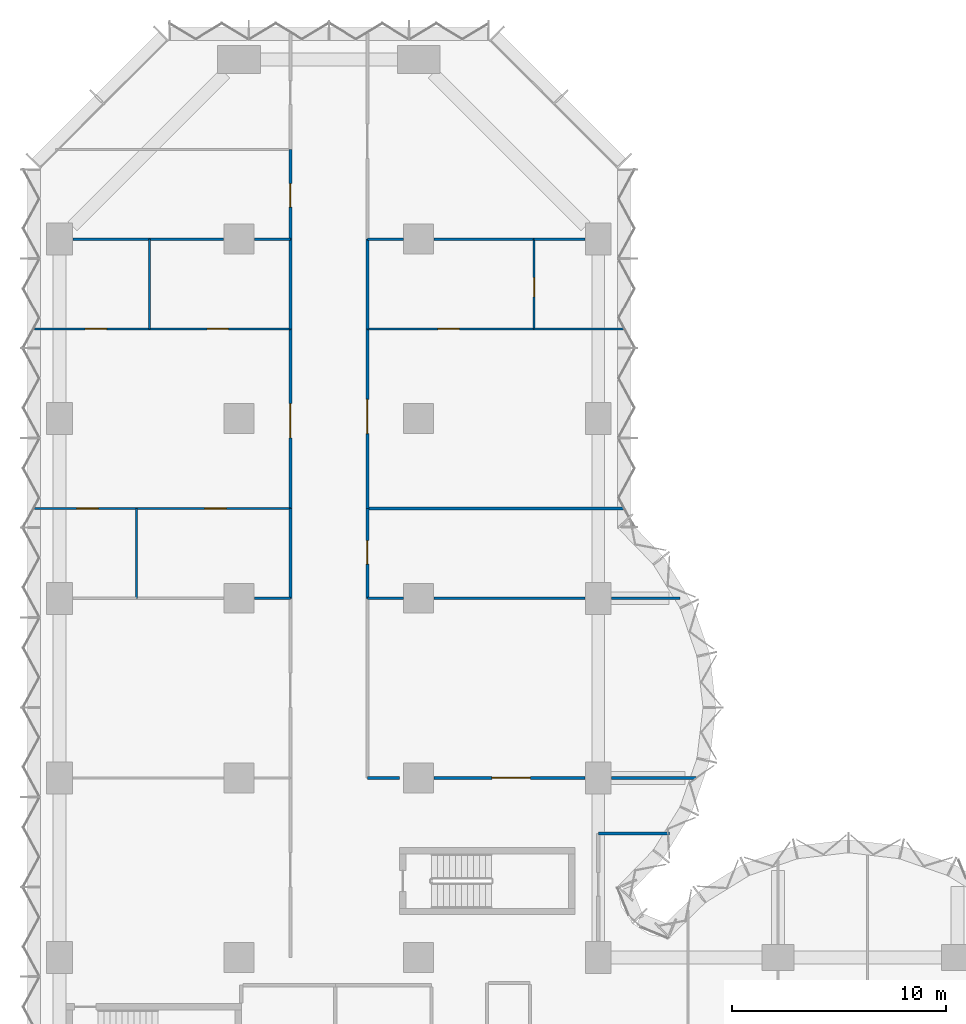
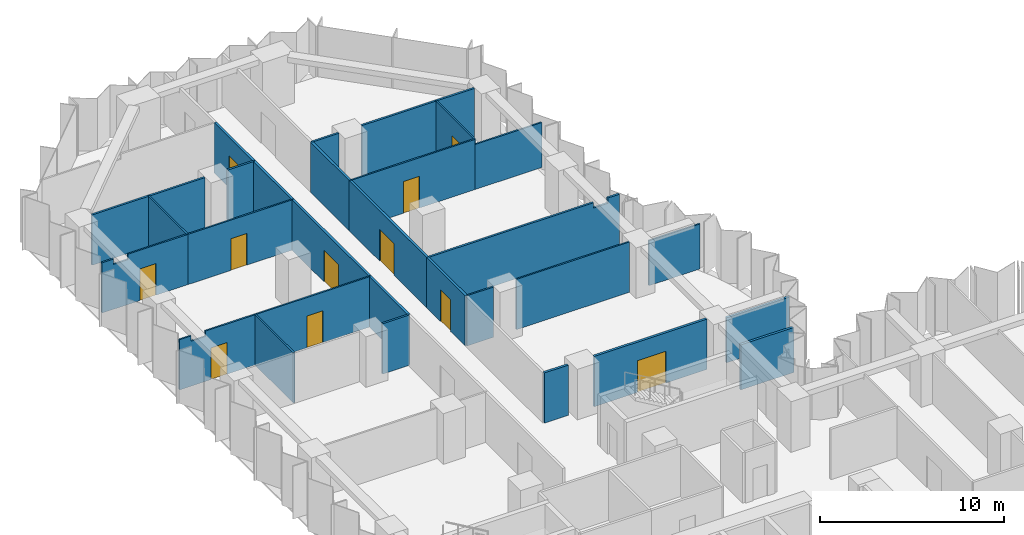
# One storey, part 11 of 15: 31 walls, 11 doors, 11 openings.
"""IFC4 building model written with IfcOpenShell, lengths in metres."""

from ifc_helpers import new_model, si_unit, direction, frame, frame_2d, origin, place, context, subcontext, project, spatial, polyline, rectangle, outline, extrude, material, layer, layer_set, type_object, element, fill, save


model = new_model("IFC4")

# Units and contexts
model_context = context("Model", 3, precision=1e-05, world=origin(), true_north=direction((0.0, 1.0)))
body_context = subcontext(model_context, "Body", "Model", "MODEL_VIEW")
ifc_project = project(units=[si_unit("LENGTHUNIT", "METRE"), si_unit("AREAUNIT", "SQUARE_METRE"), si_unit("VOLUMEUNIT", "CUBIC_METRE"), si_unit("PLANEANGLEUNIT", "RADIAN"), si_unit("MASSUNIT", "GRAM", prefix="KILO")], contexts=[model_context])

# Site, building, storey
site_placement = place(None, origin())
site = spatial("IfcSite", under=ifc_project, at=site_placement, CompositionType="ELEMENT")
building_placement = place(site_placement, origin())
building = spatial("IfcBuilding", under=site, at=building_placement, Name="Brevane Broadcast Tower", CompositionType="ELEMENT")
storey_placement = place(building_placement, frame((0.0, 0.0, 65.300048828125)))
storey = spatial("IfcBuildingStorey", under=building, at=storey_placement, Name="L14", CompositionType="ELEMENT", Elevation=65.300048828125)

# Wall, opening, door
ifc_material_1 = material(Name="Gypsum board partition")
ifc_layer_1 = layer(ifc_material_1, 0.10009765625)
ifc_layer_set_1 = layer_set([ifc_layer_1], Name="PARTITION 100 STUD")
wall_type_1 = type_object("IfcWallType", Name="PARTITION 100 STUD", PredefinedType="PARTITIONING", material=ifc_layer_set_1)
wall_1_placement = place(storey_placement, frame((-1.174072265625, 54.60009765625, 0.0), z_axis=(0.0, 0.0, 1.0), x_axis=(1.0, 0.0, 0.0)))
wall_1 = element("IfcWall", 1, at=wall_1_placement, inside=storey, type_object=wall_type_1, Name="Partition G03-056", PredefinedType="PARTITIONING", context=body_context, shape_type="SweptSolid", body=[
    extrude(outline(polyline([(0.0, 0.0), (5.3740234375, 0.0), (5.3740234375, 3.329833984375), (1.6240234375, 3.329833984375), (1.6220703125, 2.97998046875), (0.72607421875, 2.97998046875), (0.72412109375, 3.329833984375), (0.073974609375, 3.329833984375), (0.0, 3.329833984375), (0.0, 0.0)])), frame((0.0, 0.050048828125, 0.0), z_axis=(0.0, -1.0, 0.0), x_axis=(1.0, 0.0, 0.0)), (0.0, 0.0, 1.0), 0.10009765625),
])
opening_1_placement = place(wall_1_placement, frame((2.3740234375, 0.0, 0.0)))
opening_1 = element("IfcOpeningElement", 2, at=opening_1_placement, cuts=wall_1, Name="Opening D09-017", PredefinedType="OPENING", context=body_context, shape_type="SweptSolid", body=[
    extrude(rectangle(XDim=1.0, YDim=2.10009765625, at=frame_2d((0.5, 1.050048828125))), frame((0.0, 0.06005859375, 0.0), z_axis=(0.0, -1.0, 0.0), x_axis=(1.0, 0.0, 0.0)), (0.0, 0.0, 1.0), 0.1201171875),
])
ifc_material_2 = material(Name="Timber door leaf", Category="wood")
door_type_1 = type_object("IfcDoorType", Name="DOOR SINGLE 1000 INTERNAL", OperationType="SINGLE_SWING_LEFT", PredefinedType="DOOR", material=ifc_material_2)
door_1_placement = place(opening_1_placement, origin())
door_1 = element("IfcDoor", 3, at=door_1_placement, inside=storey, type_object=door_type_1, Name="Door D09-017", OperationType="SINGLE_SWING_LEFT", OverallHeight=2.10009765625, OverallWidth=1.0, PredefinedType="DOOR", context=body_context, shape_type="SweptSolid", body=[
    extrude(rectangle(XDim=1.0, YDim=2.10009765625, at=frame_2d((0.5, 1.050048828125))), frame((0.0, 0.02490234375, 0.0), z_axis=(0.0, -1.0, 0.0), x_axis=(1.0, 0.0, 0.0)), (0.0, 0.0, 1.0), 0.050048828125),
])
fill(opening_1, door_1)

wall_2_placement = place(storey_placement, frame((4.199951171875, 54.60009765625, 0.0), z_axis=(0.0, 0.0, 1.0), x_axis=(1.0, 0.0, 0.0)))
wall_2 = element("IfcWall", 4, at=wall_2_placement, inside=storey, type_object=wall_type_1, Name="Partition G03-057", PredefinedType="PARTITIONING", context=body_context, shape_type="SweptSolid", body=[
    extrude(rectangle(XDim=6.60009765625, YDim=0.10009765625, at=frame_2d((3.300048828125, 0.0))), origin(), (0.0, 0.0, 1.0), 3.329833984375),
])
opening_2_placement = place(wall_2_placement, frame((2.699951171875, 0.0, 0.0)))
opening_2 = element("IfcOpeningElement", 5, at=opening_2_placement, cuts=wall_2, Name="Opening D09-018", PredefinedType="OPENING", context=body_context, shape_type="SweptSolid", body=[
    extrude(rectangle(XDim=1.0, YDim=2.10009765625, at=frame_2d((0.5, 1.050048828125))), frame((0.0, 0.06005859375, 0.0), z_axis=(0.0, -1.0, 0.0), x_axis=(1.0, 0.0, 0.0)), (0.0, 0.0, 1.0), 0.1201171875),
])
door_2_placement = place(opening_2_placement, origin())
door_2 = element("IfcDoor", 6, at=door_2_placement, inside=storey, type_object=door_type_1, Name="Door D09-018", OperationType="SINGLE_SWING_LEFT", OverallHeight=2.10009765625, OverallWidth=1.0, PredefinedType="DOOR", context=body_context, shape_type="SweptSolid", body=[
    extrude(rectangle(XDim=1.0, YDim=2.10009765625, at=frame_2d((0.5, 1.050048828125))), frame((0.0, 0.02490234375, 0.0), z_axis=(0.0, -1.0, 0.0), x_axis=(1.0, 0.0, 0.0)), (0.0, 0.0, 1.0), 0.050048828125),
])
fill(opening_2, door_2)

wall_3_placement = place(storey_placement, frame((3.60009765625, 46.199951171875, 0.0), z_axis=(0.0, 0.0, 1.0), x_axis=(-1.0, 0.0, 0.0)))
wall_3 = element("IfcWall", 7, at=wall_3_placement, inside=storey, type_object=wall_type_1, Name="Partition G03-058", PredefinedType="PARTITIONING", context=body_context, shape_type="SweptSolid", body=[
    extrude(outline(polyline([(0.0, 0.0), (4.774169921875, 0.0), (4.77392578125, 3.329833984375), (4.699951171875, 3.329833984375), (4.050048828125, 3.329833984375), (4.048095703125, 2.97998046875), (3.152099609375, 2.97998046875), (3.14990234375, 3.329833984375), (0.0, 3.329833984375), (0.0, 0.0)])), frame((0.0, 0.050048828125, 0.0), z_axis=(0.0, -1.0, 0.0), x_axis=(1.0, 0.0, 0.0)), (0.0, 0.0, 1.0), 0.10009765625),
])
opening_3_placement = place(wall_3_placement, frame((1.800048828125, 0.0, 0.0)))
opening_3 = element("IfcOpeningElement", 8, at=opening_3_placement, cuts=wall_3, Name="Opening D09-019", PredefinedType="OPENING", context=body_context, shape_type="SweptSolid", body=[
    extrude(rectangle(XDim=1.0, YDim=2.10009765625, at=frame_2d((0.5, 1.050048828125))), frame((0.0, 0.06005859375, 0.0), z_axis=(0.0, -1.0, 0.0), x_axis=(1.0, 0.0, 0.0)), (0.0, 0.0, 1.0), 0.1201171875),
])
door_3_placement = place(opening_3_placement, origin())
door_3 = element("IfcDoor", 9, at=door_3_placement, inside=storey, type_object=door_type_1, Name="Door D09-019", OperationType="SINGLE_SWING_LEFT", OverallHeight=2.10009765625, OverallWidth=1.0, PredefinedType="DOOR", context=body_context, shape_type="SweptSolid", body=[
    extrude(rectangle(XDim=1.0, YDim=2.10009765625, at=frame_2d((0.5, 1.050048828125))), frame((0.0, 0.02490234375, 0.0), z_axis=(0.0, -1.0, 0.0), x_axis=(1.0, 0.0, 0.0)), (0.0, 0.0, 1.0), 0.050048828125),
])
fill(opening_3, door_3)

wall_4_placement = place(storey_placement, frame((10.800048828125, 46.199951171875, 0.0), z_axis=(0.0, 0.0, 1.0), x_axis=(-1.0, 0.0, 0.0)))
wall_4 = element("IfcWall", 10, at=wall_4_placement, inside=storey, type_object=wall_type_1, Name="Partition G03-059", PredefinedType="PARTITIONING", context=body_context, shape_type="SweptSolid", body=[
    extrude(rectangle(XDim=7.199951171875, YDim=0.10009765625, at=frame_2d((3.60009765625, 0.0))), origin(), (0.0, 0.0, 1.0), 3.329833984375),
])
opening_4_placement = place(wall_4_placement, frame((3.0, 0.0, 0.0)))
opening_4 = element("IfcOpeningElement", 11, at=opening_4_placement, cuts=wall_4, Name="Opening D09-020", PredefinedType="OPENING", context=body_context, shape_type="SweptSolid", body=[
    extrude(rectangle(XDim=1.0, YDim=2.10009765625, at=frame_2d((0.5, 1.050048828125))), frame((0.0, 0.06005859375, 0.0), z_axis=(0.0, -1.0, 0.0), x_axis=(1.0, 0.0, 0.0)), (0.0, 0.0, 1.0), 0.1201171875),
])
door_4_placement = place(opening_4_placement, origin())
door_4 = element("IfcDoor", 12, at=door_4_placement, inside=storey, type_object=door_type_1, Name="Door D09-020", OperationType="SINGLE_SWING_LEFT", OverallHeight=2.10009765625, OverallWidth=1.0, PredefinedType="DOOR", context=body_context, shape_type="SweptSolid", body=[
    extrude(rectangle(XDim=1.0, YDim=2.10009765625, at=frame_2d((0.5, 1.050048828125))), frame((0.0, 0.02490234375, 0.0), z_axis=(0.0, -1.0, 0.0), x_axis=(1.0, 0.0, 0.0)), (0.0, 0.0, 1.0), 0.050048828125),
])
fill(opening_4, door_4)

# Walls
for number, where, z_axis, x_axis, name in (
    (13, (4.199951171875, 58.800048828125, 0.0), (0.0, 0.0, 1.0), (0.0, -1.0, 0.0), "Partition G03-060"),
    (14, (3.60009765625, 46.199951171875, 0.0), (0.0, 0.0, 1.0), (0.0, -1.0, 0.0), "Partition G03-064"),
):
    element("IfcWall", number, at=place(storey_placement, frame(where, z_axis=z_axis, x_axis=x_axis)), inside=storey, type_object=wall_type_1, Name=name, PredefinedType="PARTITIONING", context=body_context, shape_type="SweptSolid", body=[
        extrude(rectangle(XDim=4.199951171875, YDim=0.10009765625, at=frame_2d((2.10009765625, 0.0))), origin(), (0.0, 0.0, 1.0), 3.329833984375),
    ])
wall_5_placement = place(storey_placement, frame((14.39990234375, 42.0, 0.0), z_axis=(0.0, 0.0, 1.0), x_axis=(1.0, 0.0, 0.0)))
element("IfcWall", 15, at=wall_5_placement, inside=storey, type_object=wall_type_1, Name="Partition G03-066", PredefinedType="PARTITIONING", context=body_context, shape_type="SweptSolid", body=[
    extrude(rectangle(XDim=1.68017578125, YDim=0.10009765625, at=frame_2d((0.840087890625, 0.0))), origin(), (0.0, 0.0, 1.0), 3.329833984375),
])
wall_6_placement = place(storey_placement, frame((17.52001953125, 42.0, 0.0), z_axis=(0.0, 0.0, 1.0), x_axis=(1.0, 0.0, 0.0)))
element("IfcWall", 16, at=wall_6_placement, inside=storey, type_object=wall_type_1, Name="Partition G03-067", PredefinedType="PARTITIONING", context=body_context, shape_type="SweptSolid", body=[
    extrude(rectangle(XDim=7.06005859375, YDim=0.10009765625, at=frame_2d((3.530029296875, 0.0))), origin(), (0.0, 0.0, 1.0), 3.329833984375),
])
wall_7_placement = place(storey_placement, frame((25.820068359375, 42.0, 0.0), z_axis=(0.0, 0.0, 1.0), x_axis=(1.0, 0.0, 0.0)))
element("IfcWall", 17, at=wall_7_placement, inside=storey, type_object=wall_type_1, Name="Partition G03-068", PredefinedType="PARTITIONING", context=body_context, shape_type="SweptSolid", body=[
    extrude(rectangle(XDim=3.19140625, YDim=0.10009765625, at=frame_2d((1.595703125, 0.0))), origin(), (0.0, 0.0, 1.0), 2.97998046875),
])

# Wall, opening, door
wall_8_placement = place(storey_placement, frame((14.39990234375, 54.60009765625, 0.0), z_axis=(0.0, 0.0, 1.0), x_axis=(1.0, 0.0, 0.0)))
wall_8 = element("IfcWall", 18, at=wall_8_placement, inside=storey, type_object=wall_type_1, Name="Partition G03-070", PredefinedType="PARTITIONING", context=body_context, shape_type="SweptSolid", body=[
    extrude(rectangle(XDim=7.800048828125, YDim=0.10009765625, at=frame_2d((3.89990234375, 0.0))), origin(), (0.0, 0.0, 1.0), 3.329833984375),
])
opening_5_placement = place(wall_8_placement, frame((3.300048828125, 0.0, 0.0)))
opening_5 = element("IfcOpeningElement", 19, at=opening_5_placement, cuts=wall_8, Name="Opening D09-026", PredefinedType="OPENING", context=body_context, shape_type="SweptSolid", body=[
    extrude(rectangle(XDim=1.0, YDim=2.10009765625, at=frame_2d((0.5, 1.050048828125))), frame((0.0, 0.06005859375, 0.0), z_axis=(0.0, -1.0, 0.0), x_axis=(1.0, 0.0, 0.0)), (0.0, 0.0, 1.0), 0.1201171875),
])
door_5_placement = place(opening_5_placement, origin())
door_5 = element("IfcDoor", 20, at=door_5_placement, inside=storey, type_object=door_type_1, Name="Door D09-026", OperationType="SINGLE_SWING_LEFT", OverallHeight=2.10009765625, OverallWidth=1.0, PredefinedType="DOOR", context=body_context, shape_type="SweptSolid", body=[
    extrude(rectangle(XDim=1.0, YDim=2.10009765625, at=frame_2d((0.5, 1.050048828125))), frame((0.0, 0.02490234375, 0.0), z_axis=(0.0, -1.0, 0.0), x_axis=(1.0, 0.0, 0.0)), (0.0, 0.0, 1.0), 0.050048828125),
])
fill(opening_5, door_5)

# Wall
wall_9_placement = place(storey_placement, frame((22.199951171875, 54.60009765625, 0.0), z_axis=(0.0, 0.0, 1.0), x_axis=(1.0, 0.0, 0.0)))
element("IfcWall", 21, at=wall_9_placement, inside=storey, type_object=wall_type_1, Name="Partition G03-071", PredefinedType="PARTITIONING", context=body_context, shape_type="SweptSolid", body=[
    extrude(rectangle(XDim=4.174072265625, YDim=0.10009765625, at=frame_2d((2.0869140625, 0.0))), origin(), (0.0, 0.0, 1.0), 2.97998046875),
])

# Wall, opening, door
wall_10_placement = place(storey_placement, frame((22.199951171875, 58.800048828125, 0.0), z_axis=(0.0, 0.0, 1.0), x_axis=(0.0, -1.0, 0.0)))
wall_10 = element("IfcWall", 22, at=wall_10_placement, inside=storey, type_object=wall_type_1, Name="Partition G03-072", PredefinedType="PARTITIONING", context=body_context, shape_type="SweptSolid", body=[
    extrude(rectangle(XDim=4.199951171875, YDim=0.10009765625, at=frame_2d((2.10009765625, 0.0))), origin(), (0.0, 0.0, 1.0), 3.329833984375),
])
opening_6_placement = place(wall_10_placement, frame((1.800048828125, 0.0, 0.0)))
opening_6 = element("IfcOpeningElement", 23, at=opening_6_placement, cuts=wall_10, Name="Opening D09-027", PredefinedType="OPENING", context=body_context, shape_type="SweptSolid", body=[
    extrude(rectangle(XDim=0.89990234375, YDim=2.10009765625, at=frame_2d((0.449951171875, 1.050048828125))), frame((0.0, 0.06005859375, 0.0), z_axis=(0.0, -1.0, 0.0), x_axis=(1.0, 0.0, 0.0)), (0.0, 0.0, 1.0), 0.1201171875),
])
door_type_2 = type_object("IfcDoorType", Name="DOOR SINGLE 900 INTERNAL", OperationType="SINGLE_SWING_LEFT", PredefinedType="DOOR", material=ifc_material_2)
door_6_placement = place(opening_6_placement, origin())
door_6 = element("IfcDoor", 24, at=door_6_placement, inside=storey, type_object=door_type_2, Name="Door D09-027", OperationType="SINGLE_SWING_LEFT", OverallHeight=2.10009765625, OverallWidth=0.89990234375, PredefinedType="DOOR", context=body_context, shape_type="SweptSolid", body=[
    extrude(rectangle(XDim=0.89990234375, YDim=2.10009765625, at=frame_2d((0.449951171875, 1.050048828125))), frame((0.0, 0.02490234375, 0.0), z_axis=(0.0, -1.0, 0.0), x_axis=(1.0, 0.0, 0.0)), (0.0, 0.0, 1.0), 0.050048828125),
])
fill(opening_6, door_6)

# Walls
ifc_layer_2 = layer(ifc_material_1, 0.125)
ifc_layer_set_2 = layer_set([ifc_layer_2], Name="PARTITION 125 ACOUSTIC")
wall_type_2 = type_object("IfcWallType", Name="PARTITION 125 ACOUSTIC", PredefinedType="PARTITIONING", material=ifc_layer_set_2)
wall_11_placement = place(storey_placement, frame((9.1201171875, 42.0, 0.0), z_axis=(0.0, 0.0, 1.0), x_axis=(1.0, 0.0, 0.0)))
element("IfcWall", 25, at=wall_11_placement, inside=storey, type_object=wall_type_2, Name="Partition G03-055", PredefinedType="PARTITIONING", context=body_context, shape_type="SweptSolid", body=[
    extrude(rectangle(XDim=1.679931640625, YDim=0.125, at=frame_2d((0.83984375, 0.0))), origin(), (0.0, 0.0, 1.0), 3.329833984375),
])
wall_12_placement = place(storey_placement, frame((0.6201171875, 58.800048828125, 0.0), z_axis=(0.0, 0.0, 1.0), x_axis=(1.0, 0.0, 0.0)))
element("IfcWall", 26, at=wall_12_placement, inside=storey, type_object=wall_type_2, Name="Partition G03-061", PredefinedType="PARTITIONING", context=body_context, shape_type="SweptSolid", body=[
    extrude(rectangle(XDim=3.579833984375, YDim=0.125, at=frame_2d((1.7900390625, 0.0))), origin(), (0.0, 0.0, 1.0), 3.329833984375),
])
wall_13_placement = place(storey_placement, frame((4.199951171875, 58.800048828125, 0.0), z_axis=(0.0, 0.0, 1.0), x_axis=(1.0, 0.0, 0.0)))
element("IfcWall", 27, at=wall_13_placement, inside=storey, type_object=wall_type_2, Name="Partition G03-062", PredefinedType="PARTITIONING", context=body_context, shape_type="SweptSolid", body=[
    extrude(rectangle(XDim=3.47998046875, YDim=0.125, at=frame_2d((1.739990234375, 0.0))), origin(), (0.0, 0.0, 1.0), 3.329833984375),
])
wall_14_placement = place(storey_placement, frame((9.1201171875, 58.800048828125, 0.0), z_axis=(0.0, 0.0, 1.0), x_axis=(1.0, 0.0, 0.0)))
element("IfcWall", 28, at=wall_14_placement, inside=storey, type_object=wall_type_2, Name="Partition G03-063", PredefinedType="PARTITIONING", context=body_context, shape_type="SweptSolid", body=[
    extrude(rectangle(XDim=1.679931640625, YDim=0.125, at=frame_2d((0.83984375, 0.0))), origin(), (0.0, 0.0, 1.0), 3.329833984375),
])
wall_15_placement = place(storey_placement, frame((14.39990234375, 46.199951171875, 0.0), z_axis=(0.0, 0.0, 1.0), x_axis=(1.0, 0.0, 0.0)))
element("IfcWall", 29, at=wall_15_placement, inside=storey, type_object=wall_type_2, Name="Partition G03-069", PredefinedType="PARTITIONING", context=body_context, shape_type="SweptSolid", body=[
    extrude(outline(polyline([(0.0, 0.0), (11.97412109375, 0.0), (11.97412109375, 3.329833984375), (11.89990234375, 3.329833984375), (11.25, 3.329833984375), (11.248046875, 2.97998046875), (10.35205078125, 2.97998046875), (10.35009765625, 3.329833984375), (0.0, 3.329833984375), (0.0, 0.0)])), frame((0.0, 0.0625, 0.0), z_axis=(0.0, -1.0, 0.0), x_axis=(1.0, 0.0, 0.0)), (0.0, 0.0, 1.0), 0.125),
])
wall_16_placement = place(storey_placement, frame((14.39990234375, 58.800048828125, 0.0), z_axis=(0.0, 0.0, 1.0), x_axis=(1.0, 0.0, 0.0)))
element("IfcWall", 30, at=wall_16_placement, inside=storey, type_object=wall_type_2, Name="Partition G03-073", PredefinedType="PARTITIONING", context=body_context, shape_type="SweptSolid", body=[
    extrude(rectangle(XDim=1.68017578125, YDim=0.125, at=frame_2d((0.840087890625, 0.0))), origin(), (0.0, 0.0, 1.0), 3.329833984375),
])
wall_17_placement = place(storey_placement, frame((17.52001953125, 58.800048828125, 0.0), z_axis=(0.0, 0.0, 1.0), x_axis=(1.0, 0.0, 0.0)))
element("IfcWall", 31, at=wall_17_placement, inside=storey, type_object=wall_type_2, Name="Partition G03-074", PredefinedType="PARTITIONING", context=body_context, shape_type="SweptSolid", body=[
    extrude(rectangle(XDim=4.679931640625, YDim=0.125, at=frame_2d((2.33984375, 0.0))), origin(), (0.0, 0.0, 1.0), 3.329833984375),
])
wall_18_placement = place(storey_placement, frame((22.199951171875, 58.800048828125, 0.0), z_axis=(0.0, 0.0, 1.0), x_axis=(1.0, 0.0, 0.0)))
element("IfcWall", 32, at=wall_18_placement, inside=storey, type_object=wall_type_2, Name="Partition G03-075", PredefinedType="PARTITIONING", context=body_context, shape_type="SweptSolid", body=[
    extrude(rectangle(XDim=2.380126953125, YDim=0.125, at=frame_2d((1.18994140625, 0.0))), origin(), (0.0, 0.0, 1.0), 3.329833984375),
])
ifc_layer_3 = layer(ifc_material_1, 0.14990234375)
ifc_layer_set_3 = layer_set([ifc_layer_3], Name="PARTITION 150 EI 60")
wall_type_3 = type_object("IfcWallType", Name="PARTITION 150 EI 60", PredefinedType="PARTITIONING", material=ifc_layer_set_3)
wall_19_placement = place(storey_placement, frame((25.199951171875, 31.0, 0.0), z_axis=(0.0, 0.0, 1.0), x_axis=(1.0, 0.0, 0.0)))
element("IfcWall", 33, at=wall_19_placement, inside=storey, type_object=wall_type_3, Name="Partition G03-006", PredefinedType="PARTITIONING", context=body_context, shape_type="SweptSolid", body=[
    extrude(rectangle(XDim=3.32421875, YDim=0.14990234375, at=frame_2d((1.662109375, 0.0))), origin(), (0.0, 0.0, 1.0), 2.97998046875),
])
wall_20_placement = place(storey_placement, frame((14.39990234375, 33.60009765625, 0.0), z_axis=(0.0, 0.0, 1.0), x_axis=(1.0, 0.0, 0.0)))
element("IfcWall", 34, at=wall_20_placement, inside=storey, type_object=wall_type_3, Name="Partition G03-037", PredefinedType="PARTITIONING", context=body_context, shape_type="SweptSolid", body=[
    extrude(rectangle(XDim=1.5, YDim=0.14990234375, at=frame_2d((0.75, 0.0))), origin(), (0.0, 0.0, 1.0), 3.329833984375),
])

# Wall, opening, door
wall_21_placement = place(storey_placement, frame((17.52001953125, 33.60009765625, 0.0), z_axis=(0.0, 0.0, 1.0), x_axis=(1.0, 0.0, 0.0)))
wall_21 = element("IfcWall", 35, at=wall_21_placement, inside=storey, type_object=wall_type_3, Name="Partition G03-038", PredefinedType="PARTITIONING", context=body_context, shape_type="SweptSolid", body=[
    extrude(rectangle(XDim=7.06005859375, YDim=0.14990234375, at=frame_2d((3.530029296875, 0.0))), origin(), (0.0, 0.0, 1.0), 3.329833984375),
])
opening_7_placement = place(wall_21_placement, frame((2.699951171875, 0.0, 0.0)))
opening_7 = element("IfcOpeningElement", 36, at=opening_7_placement, cuts=wall_21, Name="Opening D09-023", PredefinedType="OPENING", context=body_context, shape_type="SweptSolid", body=[
    extrude(rectangle(XDim=1.800048828125, YDim=2.10009765625, at=frame_2d((0.89990234375, 1.050048828125))), frame((0.0, 0.0849609375, 0.0), z_axis=(0.0, -1.0, 0.0), x_axis=(1.0, 0.0, 0.0)), (0.0, 0.0, 1.0), 0.169921875),
])
ifc_material_3 = material(Name="Fire-rated timber door leaf", Category="wood")
door_type_3 = type_object("IfcDoorType", Name="DOOR DOUBLE 1800 FD30S", OperationType="DOUBLE_DOOR_SINGLE_SWING", PredefinedType="DOOR", material=ifc_material_3)
door_7_placement = place(opening_7_placement, origin())
door_7 = element("IfcDoor", 37, at=door_7_placement, inside=storey, type_object=door_type_3, Name="Door D09-023", OperationType="DOUBLE_DOOR_SINGLE_SWING", OverallHeight=2.10009765625, OverallWidth=1.800048828125, PredefinedType="DOOR", context=body_context, shape_type="SweptSolid", body=[
    extrude(rectangle(XDim=1.800048828125, YDim=2.10009765625, at=frame_2d((0.89990234375, 1.050048828125))), frame((0.0, 0.02490234375, 0.0), z_axis=(0.0, -1.0, 0.0), x_axis=(1.0, 0.0, 0.0)), (0.0, 0.0, 1.0), 0.050048828125),
])
fill(opening_7, door_7)

# Wall
wall_22_placement = place(storey_placement, frame((25.820068359375, 33.60009765625, 0.0), z_axis=(0.0, 0.0, 1.0), x_axis=(1.0, 0.0, 0.0)))
element("IfcWall", 38, at=wall_22_placement, inside=storey, type_object=wall_type_3, Name="Partition G03-039", PredefinedType="PARTITIONING", context=body_context, shape_type="SweptSolid", body=[
    extrude(rectangle(XDim=3.94189453125, YDim=0.14990234375, at=frame_2d((1.970947265625, 0.0))), origin(), (0.0, 0.0, 1.0), 2.97998046875),
])

# Wall, opening, door
wall_23_placement = place(storey_placement, frame((10.800048828125, 46.199951171875, 0.0), z_axis=(0.0, 0.0, 1.0), x_axis=(0.0, 1.0, 0.0)))
wall_23 = element("IfcWall", 39, at=wall_23_placement, inside=storey, type_object=wall_type_3, Name="Partition G03-041", PredefinedType="PARTITIONING", context=body_context, shape_type="SweptSolid", body=[
    extrude(rectangle(XDim=8.400146484375, YDim=0.14990234375, at=frame_2d((4.2001953125, 0.0))), origin(), (0.0, 0.0, 1.0), 3.329833984375),
])
opening_8_placement = place(wall_23_placement, frame((3.300048828125, 0.0, 0.0)))
opening_8 = element("IfcOpeningElement", 40, at=opening_8_placement, cuts=wall_23, Name="Opening D09-016", PredefinedType="OPENING", context=body_context, shape_type="SweptSolid", body=[
    extrude(rectangle(XDim=1.60009765625, YDim=2.10009765625, at=frame_2d((0.800048828125, 1.050048828125))), frame((0.0, 0.0849609375, 0.0), z_axis=(0.0, -1.0, 0.0), x_axis=(1.0, 0.0, 0.0)), (0.0, 0.0, 1.0), 0.169921875),
])
door_type_4 = type_object("IfcDoorType", Name="DOOR DOUBLE 1600 FD30S", OperationType="DOUBLE_DOOR_SINGLE_SWING", PredefinedType="DOOR", material=ifc_material_3)
door_8_placement = place(opening_8_placement, origin())
door_8 = element("IfcDoor", 41, at=door_8_placement, inside=storey, type_object=door_type_4, Name="Door D09-016", OperationType="DOUBLE_DOOR_SINGLE_SWING", OverallHeight=2.10009765625, OverallWidth=1.60009765625, PredefinedType="DOOR", context=body_context, shape_type="SweptSolid", body=[
    extrude(rectangle(XDim=1.60009765625, YDim=2.10009765625, at=frame_2d((0.800048828125, 1.050048828125))), frame((0.0, 0.02490234375, 0.0), z_axis=(0.0, -1.0, 0.0), x_axis=(1.0, 0.0, 0.0)), (0.0, 0.0, 1.0), 0.050048828125),
])
fill(opening_8, door_8)

# Walls
for number, where, z_axis, x_axis, name in (
    (42, (10.800048828125, 54.60009765625, 0.0), (0.0, 0.0, 1.0), (0.0, 1.0, 0.0), "Partition G03-042"),
    (43, (10.800048828125, 42.0, 0.0), (0.0, 0.0, 1.0), (0.0, 1.0, 0.0), "Partition G03-043"),
):
    element("IfcWall", number, at=place(storey_placement, frame(where, z_axis=z_axis, x_axis=x_axis)), inside=storey, type_object=wall_type_3, Name=name, PredefinedType="PARTITIONING", context=body_context, shape_type="SweptSolid", body=[
        extrude(rectangle(XDim=4.199951171875, YDim=0.14990234375, at=frame_2d((2.10009765625, 0.0))), origin(), (0.0, 0.0, 1.0), 3.329833984375),
    ])

# Wall, opening, door
wall_24_placement = place(storey_placement, frame((10.800048828125, 58.800048828125, 0.0), z_axis=(0.0, 0.0, 1.0), x_axis=(0.0, 1.0, 0.0)))
wall_24 = element("IfcWall", 44, at=wall_24_placement, inside=storey, type_object=wall_type_3, Name="Partition G03-044", PredefinedType="PARTITIONING", context=body_context, shape_type="SweptSolid", body=[
    extrude(rectangle(XDim=4.199951171875, YDim=0.14990234375, at=frame_2d((2.10009765625, 0.0))), origin(), (0.0, 0.0, 1.0), 3.329833984375),
])
opening_9_placement = place(wall_24_placement, frame((1.5, 0.0, 0.0)))
opening_9 = element("IfcOpeningElement", 45, at=opening_9_placement, cuts=wall_24, Name="Opening D09-021", PredefinedType="OPENING", context=body_context, shape_type="SweptSolid", body=[
    extrude(rectangle(XDim=1.10009765625, YDim=2.10009765625, at=frame_2d((0.550048828125, 1.050048828125))), frame((0.0, 0.0849609375, 0.0), z_axis=(0.0, -1.0, 0.0), x_axis=(1.0, 0.0, 0.0)), (0.0, 0.0, 1.0), 0.169921875),
])
door_type_5 = type_object("IfcDoorType", Name="DOOR SINGLE 1100 FD30S", OperationType="SINGLE_SWING_LEFT", PredefinedType="DOOR", material=ifc_material_3)
door_9_placement = place(opening_9_placement, origin())
door_9 = element("IfcDoor", 46, at=door_9_placement, inside=storey, type_object=door_type_5, Name="Door D09-021", OperationType="SINGLE_SWING_LEFT", OverallHeight=2.10009765625, OverallWidth=1.10009765625, PredefinedType="DOOR", context=body_context, shape_type="SweptSolid", body=[
    extrude(rectangle(XDim=1.10009765625, YDim=2.10009765625, at=frame_2d((0.550048828125, 1.050048828125))), frame((0.0, 0.02490234375, 0.0), z_axis=(0.0, -1.0, 0.0), x_axis=(1.0, 0.0, 0.0)), (0.0, 0.0, 1.0), 0.050048828125),
])
fill(opening_9, door_9)

wall_25_placement = place(storey_placement, frame((14.39990234375, 46.199951171875, 0.0), z_axis=(0.0, 0.0, 1.0), x_axis=(0.0, -1.0, 0.0)))
wall_25 = element("IfcWall", 47, at=wall_25_placement, inside=storey, type_object=wall_type_3, Name="Partition G03-047", PredefinedType="PARTITIONING", context=body_context, shape_type="SweptSolid", body=[
    extrude(rectangle(XDim=4.199951171875, YDim=0.14990234375, at=frame_2d((2.10009765625, 0.0))), origin(), (0.0, 0.0, 1.0), 3.329833984375),
])
opening_10_placement = place(wall_25_placement, frame((1.5, 0.0, 0.0)))
opening_10 = element("IfcOpeningElement", 48, at=opening_10_placement, cuts=wall_25, Name="Opening D09-024", PredefinedType="OPENING", context=body_context, shape_type="SweptSolid", body=[
    extrude(rectangle(XDim=1.10009765625, YDim=2.10009765625, at=frame_2d((0.550048828125, 1.050048828125))), frame((0.0, 0.0849609375, 0.0), z_axis=(0.0, -1.0, 0.0), x_axis=(1.0, 0.0, 0.0)), (0.0, 0.0, 1.0), 0.169921875),
])
door_10_placement = place(opening_10_placement, origin())
door_10 = element("IfcDoor", 49, at=door_10_placement, inside=storey, type_object=door_type_5, Name="Door D09-024", OperationType="SINGLE_SWING_LEFT", OverallHeight=2.10009765625, OverallWidth=1.10009765625, PredefinedType="DOOR", context=body_context, shape_type="SweptSolid", body=[
    extrude(rectangle(XDim=1.10009765625, YDim=2.10009765625, at=frame_2d((0.550048828125, 1.050048828125))), frame((0.0, 0.02490234375, 0.0), z_axis=(0.0, -1.0, 0.0), x_axis=(1.0, 0.0, 0.0)), (0.0, 0.0, 1.0), 0.050048828125),
])
fill(opening_10, door_10)

wall_26_placement = place(storey_placement, frame((14.39990234375, 54.60009765625, 0.0), z_axis=(0.0, 0.0, 1.0), x_axis=(0.0, -1.0, 0.0)))
wall_26 = element("IfcWall", 50, at=wall_26_placement, inside=storey, type_object=wall_type_3, Name="Partition G03-048", PredefinedType="PARTITIONING", context=body_context, shape_type="SweptSolid", body=[
    extrude(rectangle(XDim=8.400146484375, YDim=0.14990234375, at=frame_2d((4.2001953125, 0.0))), origin(), (0.0, 0.0, 1.0), 3.329833984375),
])
opening_11_placement = place(wall_26_placement, frame((3.300048828125, 0.0, 0.0)))
opening_11 = element("IfcOpeningElement", 51, at=opening_11_placement, cuts=wall_26, Name="Opening D09-025", PredefinedType="OPENING", context=body_context, shape_type="SweptSolid", body=[
    extrude(rectangle(XDim=1.60009765625, YDim=2.10009765625, at=frame_2d((0.800048828125, 1.050048828125))), frame((0.0, 0.0849609375, 0.0), z_axis=(0.0, -1.0, 0.0), x_axis=(1.0, 0.0, 0.0)), (0.0, 0.0, 1.0), 0.169921875),
])
door_11_placement = place(opening_11_placement, origin())
door_11 = element("IfcDoor", 52, at=door_11_placement, inside=storey, type_object=door_type_4, Name="Door D09-025", OperationType="DOUBLE_DOOR_SINGLE_SWING", OverallHeight=2.10009765625, OverallWidth=1.60009765625, PredefinedType="DOOR", context=body_context, shape_type="SweptSolid", body=[
    extrude(rectangle(XDim=1.60009765625, YDim=2.10009765625, at=frame_2d((0.800048828125, 1.050048828125))), frame((0.0, 0.02490234375, 0.0), z_axis=(0.0, -1.0, 0.0), x_axis=(1.0, 0.0, 0.0)), (0.0, 0.0, 1.0), 0.050048828125),
])
fill(opening_11, door_11)

# Wall
wall_27_placement = place(storey_placement, frame((14.39990234375, 58.800048828125, 0.0), z_axis=(0.0, 0.0, 1.0), x_axis=(0.0, -1.0, 0.0)))
element("IfcWall", 53, at=wall_27_placement, inside=storey, type_object=wall_type_3, Name="Partition G03-049", PredefinedType="PARTITIONING", context=body_context, shape_type="SweptSolid", body=[
    extrude(rectangle(XDim=4.199951171875, YDim=0.14990234375, at=frame_2d((2.10009765625, 0.0))), origin(), (0.0, 0.0, 1.0), 3.329833984375),
])

save(model, "model.ifc")
